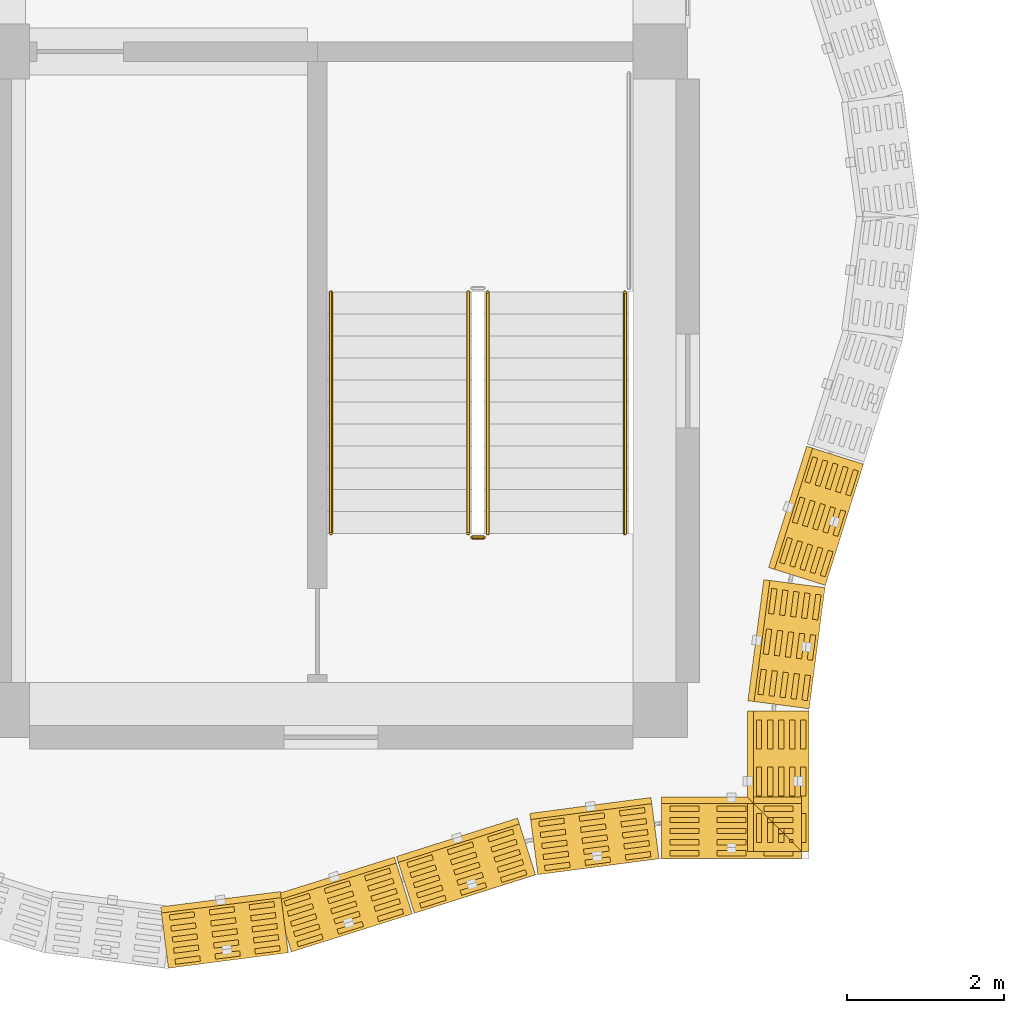
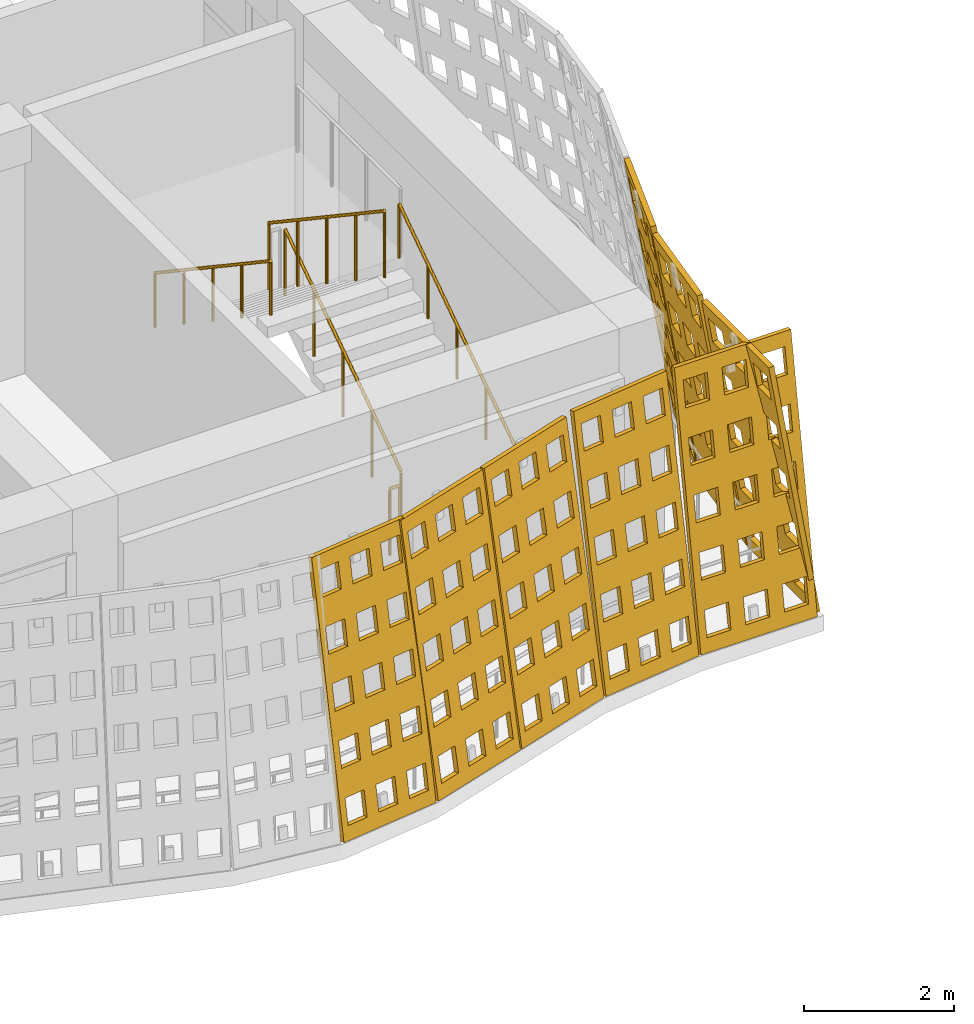
# One storey, part 119 of 162: 8 coverings, 5 railings.
"""IFC4 building model written with IfcOpenShell, lengths in metres."""

from ifc_helpers import new_model, si_unit, direction, frame, origin, origin_2d, place, context, subcontext, project, spatial, polyline, circle, outline, extrude, material, layer, layer_set, type_object, element, save


model = new_model("IFC4")

# Units and contexts
model_context = context("Model", 3, precision=1e-05, world=origin(), true_north=direction((0.0, 1.0)))
body_context = subcontext(model_context, "Body", "Model", "MODEL_VIEW")
ifc_project = project(units=[si_unit("LENGTHUNIT", "METRE"), si_unit("AREAUNIT", "SQUARE_METRE"), si_unit("VOLUMEUNIT", "CUBIC_METRE"), si_unit("PLANEANGLEUNIT", "RADIAN"), si_unit("MASSUNIT", "GRAM", prefix="KILO")], contexts=[model_context])

# Site, building, storey
site_placement = place(None, origin())
site = spatial("IfcSite", under=ifc_project, at=site_placement, CompositionType="ELEMENT")
building_placement = place(site_placement, origin())
building = spatial("IfcBuilding", under=site, at=building_placement, Name="Rain Tree Exposition and Congress Centre", CompositionType="ELEMENT")
storey_placement = place(building_placement, frame((0.0, 0.0, 6.0)))
storey = spatial("IfcBuildingStorey", under=building, at=storey_placement, Name="L01", CompositionType="ELEMENT", Elevation=6.0)

# Coverings
ifc_material_1 = material(Name="Perforated terracotta", Category="masonry")
ifc_layer = layer(ifc_material_1, 0.080078125)
ifc_layer_set = layer_set([ifc_layer], Name="Perforated terracotta")
covering_type = type_object("IfcCoveringType", Name="Terracotta screen 80", PredefinedType="CLADDING", material=ifc_layer_set)
covering_1_placement = place(storey_placement, frame((44.099609375, -3.298095703125, 0.01318359375), z_axis=(-0.125342414455, 0.978282259159, -0.165085131233), x_axis=(-0.991891686382, -0.127086122318, 0.0)))
element("IfcCovering", 1, at=covering_1_placement, inside=storey, type_object=covering_type, Name="wing/screen/L01/029", PredefinedType="CLADDING", context=body_context, shape_type="SweptSolid", body=[
    extrude(outline(polyline([(-1.56640625, 0.0), (-1.56640625, 4.295166015625), (-0.025390625, 4.295166015625), (-0.025390625, 0.0), (-1.56640625, 0.0)]), holes=[polyline([(-0.123046875, 0.2216796875), (-0.123046875, 0.63720703125), (-0.44140625, 0.63720703125), (-0.44140625, 0.2216796875), (-0.123046875, 0.2216796875)]), polyline([(-0.123046875, 1.080810546875), (-0.123046875, 1.496337890625), (-0.44140625, 1.496337890625), (-0.44140625, 1.080810546875), (-0.123046875, 1.080810546875)]), polyline([(-0.123046875, 1.939697265625), (-0.123046875, 2.35546875), (-0.44140625, 2.35546875), (-0.44140625, 1.939697265625), (-0.123046875, 1.939697265625)]), polyline([(-0.123046875, 2.798583984375), (-0.123046875, 3.21435546875), (-0.44140625, 3.21435546875), (-0.44140625, 2.798583984375), (-0.123046875, 2.798583984375)]), polyline([(-0.123046875, 3.65771484375), (-0.123046875, 4.073486328125), (-0.44140625, 4.073486328125), (-0.44140625, 3.65771484375), (-0.123046875, 3.65771484375)]), polyline([(-0.63671875, 0.2216796875), (-0.63671875, 0.63720703125), (-0.955078125, 0.63720703125), (-0.955078125, 0.2216796875), (-0.63671875, 0.2216796875)]), polyline([(-0.63671875, 1.080810546875), (-0.63671875, 1.496337890625), (-0.955078125, 1.496337890625), (-0.955078125, 1.080810546875), (-0.63671875, 1.080810546875)]), polyline([(-0.63671875, 1.939697265625), (-0.63671875, 2.35546875), (-0.955078125, 2.35546875), (-0.955078125, 1.939697265625), (-0.63671875, 1.939697265625)]), polyline([(-0.63671875, 2.798583984375), (-0.63671875, 3.21435546875), (-0.955078125, 3.21435546875), (-0.955078125, 2.798583984375), (-0.63671875, 2.798583984375)]), polyline([(-0.63671875, 3.65771484375), (-0.63671875, 4.073486328125), (-0.955078125, 4.073486328125), (-0.955078125, 3.65771484375), (-0.63671875, 3.65771484375)]), polyline([(-1.150146484375, 0.2216796875), (-1.150146484375, 0.63720703125), (-1.46875, 0.63720703125), (-1.46875, 0.2216796875), (-1.150146484375, 0.2216796875)]), polyline([(-1.150146484375, 1.080810546875), (-1.150146484375, 1.496337890625), (-1.46875, 1.496337890625), (-1.46875, 1.080810546875), (-1.150146484375, 1.080810546875)]), polyline([(-1.150146484375, 1.939697265625), (-1.150146484375, 2.35546875), (-1.46875, 2.35546875), (-1.46875, 1.939697265625), (-1.150146484375, 1.939697265625)]), polyline([(-1.150146484375, 2.798583984375), (-1.150146484375, 3.21435546875), (-1.46875, 3.21435546875), (-1.46875, 2.798583984375), (-1.150146484375, 2.798583984375)]), polyline([(-1.150146484375, 3.65771484375), (-1.150146484375, 4.073486328125), (-1.46875, 4.073486328125), (-1.46875, 3.65771484375), (-1.150146484375, 3.65771484375)])]), origin(), (0.0, 0.0, 1.0), 0.079833984375),
])
covering_2_placement = place(storey_placement, frame((45.67431640625, -3.093505859375, 0.0126953125), z_axis=(-0.295717964052, 0.942029390639, -0.158529217842), x_axis=(-0.954094597562, -0.29950542383, 0.0)))
element("IfcCovering", 2, at=covering_2_placement, inside=storey, type_object=covering_type, Name="wing/screen/L01/030", PredefinedType="CLADDING", context=body_context, shape_type="SweptSolid", body=[
    extrude(outline(polyline([(-1.635986328125, 0.0), (-1.635986328125, 4.291259765625), (-0.02197265625, 4.291259765625), (-0.02197265625, 0.0), (-1.635986328125, 0.0)]), holes=[polyline([(-0.124267578125, 0.221435546875), (-0.124267578125, 0.63671875), (-0.457763671875, 0.63671875), (-0.457763671875, 0.221435546875), (-0.124267578125, 0.221435546875)]), polyline([(-0.124267578125, 1.07958984375), (-0.124267578125, 1.4951171875), (-0.457763671875, 1.4951171875), (-0.457763671875, 1.07958984375), (-0.124267578125, 1.07958984375)]), polyline([(-0.124267578125, 1.93798828125), (-0.124267578125, 2.353271484375), (-0.457763671875, 2.353271484375), (-0.457763671875, 1.93798828125), (-0.124267578125, 1.93798828125)]), polyline([(-0.124267578125, 2.796142578125), (-0.124267578125, 3.21142578125), (-0.457763671875, 3.21142578125), (-0.457763671875, 2.796142578125), (-0.124267578125, 2.796142578125)]), polyline([(-0.124267578125, 3.654541015625), (-0.124267578125, 4.06982421875), (-0.457763671875, 4.06982421875), (-0.457763671875, 3.654541015625), (-0.124267578125, 3.654541015625)]), polyline([(-0.662109375, 0.221435546875), (-0.662109375, 0.63671875), (-0.995849609375, 0.63671875), (-0.995849609375, 0.221435546875), (-0.662109375, 0.221435546875)]), polyline([(-0.662109375, 1.07958984375), (-0.662109375, 1.4951171875), (-0.995849609375, 1.4951171875), (-0.995849609375, 1.07958984375), (-0.662109375, 1.07958984375)]), polyline([(-0.662109375, 1.93798828125), (-0.662109375, 2.353271484375), (-0.995849609375, 2.353271484375), (-0.995849609375, 1.93798828125), (-0.662109375, 1.93798828125)]), polyline([(-0.662109375, 2.796142578125), (-0.662109375, 3.21142578125), (-0.995849609375, 3.21142578125), (-0.995849609375, 2.796142578125), (-0.662109375, 2.796142578125)]), polyline([(-0.662109375, 3.654541015625), (-0.662109375, 4.06982421875), (-0.995849609375, 4.06982421875), (-0.995849609375, 3.654541015625), (-0.662109375, 3.654541015625)]), polyline([(-1.2001953125, 0.221435546875), (-1.2001953125, 0.63671875), (-1.53369140625, 0.63671875), (-1.53369140625, 0.221435546875), (-1.2001953125, 0.221435546875)]), polyline([(-1.2001953125, 1.07958984375), (-1.2001953125, 1.4951171875), (-1.53369140625, 1.4951171875), (-1.53369140625, 1.07958984375), (-1.2001953125, 1.07958984375)]), polyline([(-1.2001953125, 1.93798828125), (-1.2001953125, 2.353271484375), (-1.53369140625, 2.353271484375), (-1.53369140625, 1.93798828125), (-1.2001953125, 1.93798828125)]), polyline([(-1.2001953125, 2.796142578125), (-1.2001953125, 3.21142578125), (-1.53369140625, 3.21142578125), (-1.53369140625, 2.796142578125), (-1.2001953125, 2.796142578125)]), polyline([(-1.2001953125, 3.654541015625), (-1.2001953125, 4.06982421875), (-1.53369140625, 4.06982421875), (-1.53369140625, 3.654541015625), (-1.2001953125, 3.654541015625)])]), origin(), (0.0, 0.0, 1.0), 0.080078125),
])
covering_3_placement = place(storey_placement, frame((47.24951171875, -2.598388671875, 0.0126953125), z_axis=(-0.298496232686, 0.941176896939, -0.158385756119), x_axis=(-0.953208958144, -0.302312226207, 0.0)))
element("IfcCovering", 3, at=covering_3_placement, inside=storey, type_object=covering_type, Name="wing/screen/L01/031", PredefinedType="CLADDING", context=body_context, shape_type="SweptSolid", body=[
    extrude(outline(polyline([(-1.635986328125, 0.0), (-1.635986328125, 4.291259765625), (-0.014892578125, 4.291259765625), (-0.014892578125, 0.0), (-1.635986328125, 0.0)]), holes=[polyline([(-0.11767578125, 0.221435546875), (-0.11767578125, 0.63671875), (-0.45263671875, 0.63671875), (-0.45263671875, 0.221435546875), (-0.11767578125, 0.221435546875)]), polyline([(-0.11767578125, 1.07958984375), (-0.11767578125, 1.4951171875), (-0.45263671875, 1.4951171875), (-0.45263671875, 1.07958984375), (-0.11767578125, 1.07958984375)]), polyline([(-0.11767578125, 1.93798828125), (-0.11767578125, 2.353271484375), (-0.45263671875, 2.353271484375), (-0.45263671875, 1.93798828125), (-0.11767578125, 1.93798828125)]), polyline([(-0.11767578125, 2.796142578125), (-0.11767578125, 3.21142578125), (-0.45263671875, 3.21142578125), (-0.45263671875, 2.796142578125), (-0.11767578125, 2.796142578125)]), polyline([(-0.11767578125, 3.654541015625), (-0.11767578125, 4.06982421875), (-0.45263671875, 4.06982421875), (-0.45263671875, 3.654541015625), (-0.11767578125, 3.654541015625)]), polyline([(-0.657958984375, 0.221435546875), (-0.657958984375, 0.63671875), (-0.992919921875, 0.63671875), (-0.992919921875, 0.221435546875), (-0.657958984375, 0.221435546875)]), polyline([(-0.657958984375, 1.07958984375), (-0.657958984375, 1.4951171875), (-0.992919921875, 1.4951171875), (-0.992919921875, 1.07958984375), (-0.657958984375, 1.07958984375)]), polyline([(-0.657958984375, 1.93798828125), (-0.657958984375, 2.353271484375), (-0.992919921875, 2.353271484375), (-0.992919921875, 1.93798828125), (-0.657958984375, 1.93798828125)]), polyline([(-0.657958984375, 2.796142578125), (-0.657958984375, 3.21142578125), (-0.992919921875, 3.21142578125), (-0.992919921875, 2.796142578125), (-0.657958984375, 2.796142578125)]), polyline([(-0.657958984375, 3.654541015625), (-0.657958984375, 4.06982421875), (-0.992919921875, 4.06982421875), (-0.992919921875, 3.654541015625), (-0.657958984375, 3.654541015625)]), polyline([(-1.1982421875, 0.221435546875), (-1.1982421875, 0.63671875), (-1.533203125, 0.63671875), (-1.533203125, 0.221435546875), (-1.1982421875, 0.221435546875)]), polyline([(-1.1982421875, 1.07958984375), (-1.1982421875, 1.4951171875), (-1.533203125, 1.4951171875), (-1.533203125, 1.07958984375), (-1.1982421875, 1.07958984375)]), polyline([(-1.1982421875, 1.93798828125), (-1.1982421875, 2.353271484375), (-1.533203125, 2.353271484375), (-1.533203125, 1.93798828125), (-1.1982421875, 1.93798828125)]), polyline([(-1.1982421875, 2.796142578125), (-1.1982421875, 3.21142578125), (-1.533203125, 3.21142578125), (-1.533203125, 2.796142578125), (-1.1982421875, 2.796142578125)]), polyline([(-1.1982421875, 3.654541015625), (-1.1982421875, 4.06982421875), (-1.533203125, 4.06982421875), (-1.533203125, 3.654541015625), (-1.1982421875, 3.654541015625)])]), origin(), (0.0, 0.0, 1.0), 0.080078125),
])
covering_4_placement = place(storey_placement, frame((48.82470703125, -2.10302734375, 0.01318359375), z_axis=(-0.128349774249, 0.9779030419, -0.165021138321), x_axis=(-0.991496427865, -0.130133906157, 0.0)))
element("IfcCovering", 4, at=covering_4_placement, inside=storey, type_object=covering_type, Name="wing/screen/L01/032", PredefinedType="CLADDING", context=body_context, shape_type="SweptSolid", body=[
    extrude(outline(polyline([(-1.5732421875, 0.0), (-1.5732421875, 4.295166015625), (-0.014892578125, 4.295166015625), (-0.014892578125, 0.0), (-1.5732421875, 0.0)]), holes=[polyline([(-0.11376953125, 0.2216796875), (-0.11376953125, 0.63720703125), (-0.435791015625, 0.63720703125), (-0.435791015625, 0.2216796875), (-0.11376953125, 0.2216796875)]), polyline([(-0.11376953125, 1.080810546875), (-0.11376953125, 1.496337890625), (-0.435791015625, 1.496337890625), (-0.435791015625, 1.080810546875), (-0.11376953125, 1.080810546875)]), polyline([(-0.11376953125, 1.939697265625), (-0.11376953125, 2.35546875), (-0.435791015625, 2.35546875), (-0.435791015625, 1.939697265625), (-0.11376953125, 1.939697265625)]), polyline([(-0.11376953125, 2.798583984375), (-0.11376953125, 3.21435546875), (-0.435791015625, 3.21435546875), (-0.435791015625, 2.798583984375), (-0.11376953125, 2.798583984375)]), polyline([(-0.11376953125, 3.65771484375), (-0.11376953125, 4.073486328125), (-0.435791015625, 4.073486328125), (-0.435791015625, 3.65771484375), (-0.11376953125, 3.65771484375)]), polyline([(-0.633056640625, 0.2216796875), (-0.633056640625, 0.63720703125), (-0.955078125, 0.63720703125), (-0.955078125, 0.2216796875), (-0.633056640625, 0.2216796875)]), polyline([(-0.633056640625, 1.080810546875), (-0.633056640625, 1.496337890625), (-0.955078125, 1.496337890625), (-0.955078125, 1.080810546875), (-0.633056640625, 1.080810546875)]), polyline([(-0.633056640625, 1.939697265625), (-0.633056640625, 2.35546875), (-0.955078125, 2.35546875), (-0.955078125, 1.939697265625), (-0.633056640625, 1.939697265625)]), polyline([(-0.633056640625, 2.798583984375), (-0.633056640625, 3.21435546875), (-0.955078125, 3.21435546875), (-0.955078125, 2.798583984375), (-0.633056640625, 2.798583984375)]), polyline([(-0.633056640625, 3.65771484375), (-0.633056640625, 4.073486328125), (-0.955078125, 4.073486328125), (-0.955078125, 3.65771484375), (-0.633056640625, 3.65771484375)]), polyline([(-1.152587890625, 0.2216796875), (-1.152587890625, 0.63720703125), (-1.474609375, 0.63720703125), (-1.474609375, 0.2216796875), (-1.152587890625, 0.2216796875)]), polyline([(-1.152587890625, 1.080810546875), (-1.152587890625, 1.496337890625), (-1.474609375, 1.496337890625), (-1.474609375, 1.080810546875), (-1.152587890625, 1.080810546875)]), polyline([(-1.152587890625, 1.939697265625), (-1.152587890625, 2.35546875), (-1.474609375, 2.35546875), (-1.474609375, 1.939697265625), (-1.152587890625, 1.939697265625)]), polyline([(-1.152587890625, 2.798583984375), (-1.152587890625, 3.21435546875), (-1.474609375, 3.21435546875), (-1.474609375, 2.798583984375), (-1.152587890625, 2.798583984375)]), polyline([(-1.152587890625, 3.65771484375), (-1.152587890625, 4.073486328125), (-1.474609375, 4.073486328125), (-1.474609375, 3.65771484375), (-1.152587890625, 3.65771484375)])]), origin(), (0.0, 0.0, 1.0), 0.079833984375),
])
covering_5_placement = place(storey_placement, frame((50.39990234375, -1.898193359375, 0.01318359375), z_axis=(0.0, 0.986393923832, -0.164398987305), x_axis=(-1.0, 0.0, 0.0)))
element("IfcCovering", 5, at=covering_5_placement, inside=storey, type_object=covering_type, Name="wing/screen/L01/033", PredefinedType="CLADDING", context=body_context, shape_type="SweptSolid", body=[
    extrude(outline(polyline([(-1.805419921875, 0.0), (-1.805419921875, 4.2958984375), (-0.014892578125, 4.2958984375), (-0.014892578125, 0.0), (-1.805419921875, 0.0)]), holes=[polyline([(-0.12841796875, 0.2216796875), (-0.12841796875, 0.637451171875), (-0.498291015625, 0.637451171875), (-0.498291015625, 0.2216796875), (-0.12841796875, 0.2216796875)]), polyline([(-0.12841796875, 1.080810546875), (-0.12841796875, 1.49658203125), (-0.498291015625, 1.49658203125), (-0.498291015625, 1.080810546875), (-0.12841796875, 1.080810546875)]), polyline([(-0.12841796875, 1.940185546875), (-0.12841796875, 2.355712890625), (-0.498291015625, 2.355712890625), (-0.498291015625, 1.940185546875), (-0.12841796875, 1.940185546875)]), polyline([(-0.12841796875, 2.79931640625), (-0.12841796875, 3.215087890625), (-0.498291015625, 3.215087890625), (-0.498291015625, 2.79931640625), (-0.12841796875, 2.79931640625)]), polyline([(-0.12841796875, 3.658447265625), (-0.12841796875, 4.07421875), (-0.498291015625, 4.07421875), (-0.498291015625, 3.658447265625), (-0.12841796875, 3.658447265625)]), polyline([(-0.72509765625, 0.2216796875), (-0.72509765625, 0.637451171875), (-1.09521484375, 0.637451171875), (-1.09521484375, 0.2216796875), (-0.72509765625, 0.2216796875)]), polyline([(-0.72509765625, 1.080810546875), (-0.72509765625, 1.49658203125), (-1.09521484375, 1.49658203125), (-1.09521484375, 1.080810546875), (-0.72509765625, 1.080810546875)]), polyline([(-0.72509765625, 1.940185546875), (-0.72509765625, 2.355712890625), (-1.09521484375, 2.355712890625), (-1.09521484375, 1.940185546875), (-0.72509765625, 1.940185546875)]), polyline([(-0.72509765625, 2.79931640625), (-0.72509765625, 3.215087890625), (-1.09521484375, 3.215087890625), (-1.09521484375, 2.79931640625), (-0.72509765625, 2.79931640625)]), polyline([(-0.72509765625, 3.658447265625), (-0.72509765625, 4.07421875), (-1.09521484375, 4.07421875), (-1.09521484375, 3.658447265625), (-0.72509765625, 3.658447265625)]), polyline([(-1.322021484375, 0.2216796875), (-1.322021484375, 0.637451171875), (-1.69189453125, 0.637451171875), (-1.69189453125, 0.2216796875), (-1.322021484375, 0.2216796875)]), polyline([(-1.322021484375, 1.080810546875), (-1.322021484375, 1.49658203125), (-1.69189453125, 1.49658203125), (-1.69189453125, 1.080810546875), (-1.322021484375, 1.080810546875)]), polyline([(-1.322021484375, 1.940185546875), (-1.322021484375, 2.355712890625), (-1.69189453125, 2.355712890625), (-1.69189453125, 1.940185546875), (-1.322021484375, 1.940185546875)]), polyline([(-1.322021484375, 2.79931640625), (-1.322021484375, 3.215087890625), (-1.69189453125, 3.215087890625), (-1.69189453125, 2.79931640625), (-1.322021484375, 2.79931640625)]), polyline([(-1.322021484375, 3.658447265625), (-1.322021484375, 4.07421875), (-1.69189453125, 4.07421875), (-1.69189453125, 3.658447265625), (-1.322021484375, 3.658447265625)])]), origin(), (0.0, 0.0, 1.0), 0.080078125),
])
covering_6_placement = place(storey_placement, frame((52.298095703125, -1.900390625, 0.01318359375), z_axis=(-0.986311269939, 0.0, -0.1648941442), x_axis=(0.0, -1.0, 0.0)))
element("IfcCovering", 6, at=covering_6_placement, inside=storey, type_object=covering_type, Name="wing/screen/L01/034", PredefinedType="CLADDING", context=body_context, shape_type="SweptSolid", body=[
    extrude(outline(polyline([(-1.88525390625, 0.0), (-1.88525390625, 4.2958984375), (-0.094970703125, 4.2958984375), (-0.094970703125, 0.0), (-1.88525390625, 0.0)]), holes=[polyline([(-0.20849609375, 0.2216796875), (-0.20849609375, 0.637451171875), (-0.578369140625, 0.637451171875), (-0.578369140625, 0.2216796875), (-0.20849609375, 0.2216796875)]), polyline([(-0.20849609375, 1.080810546875), (-0.20849609375, 1.49658203125), (-0.578369140625, 1.49658203125), (-0.578369140625, 1.080810546875), (-0.20849609375, 1.080810546875)]), polyline([(-0.20849609375, 1.940185546875), (-0.20849609375, 2.355712890625), (-0.578369140625, 2.355712890625), (-0.578369140625, 1.940185546875), (-0.20849609375, 1.940185546875)]), polyline([(-0.20849609375, 2.79931640625), (-0.20849609375, 3.215087890625), (-0.578369140625, 3.215087890625), (-0.578369140625, 2.79931640625), (-0.20849609375, 2.79931640625)]), polyline([(-0.20849609375, 3.658447265625), (-0.20849609375, 4.07421875), (-0.578369140625, 4.07421875), (-0.578369140625, 3.658447265625), (-0.20849609375, 3.658447265625)]), polyline([(-0.80517578125, 0.2216796875), (-0.80517578125, 0.637451171875), (-1.175048828125, 0.637451171875), (-1.175048828125, 0.2216796875), (-0.80517578125, 0.2216796875)]), polyline([(-0.80517578125, 1.080810546875), (-0.80517578125, 1.49658203125), (-1.175048828125, 1.49658203125), (-1.175048828125, 1.080810546875), (-0.80517578125, 1.080810546875)]), polyline([(-0.80517578125, 1.940185546875), (-0.80517578125, 2.355712890625), (-1.175048828125, 2.355712890625), (-1.175048828125, 1.940185546875), (-0.80517578125, 1.940185546875)]), polyline([(-0.80517578125, 2.79931640625), (-0.80517578125, 3.215087890625), (-1.175048828125, 3.215087890625), (-1.175048828125, 2.79931640625), (-0.80517578125, 2.79931640625)]), polyline([(-0.80517578125, 3.658447265625), (-0.80517578125, 4.07421875), (-1.175048828125, 4.07421875), (-1.175048828125, 3.658447265625), (-0.80517578125, 3.658447265625)]), polyline([(-1.40185546875, 0.2216796875), (-1.40185546875, 0.637451171875), (-1.77197265625, 0.637451171875), (-1.77197265625, 0.2216796875), (-1.40185546875, 0.2216796875)]), polyline([(-1.40185546875, 1.080810546875), (-1.40185546875, 1.49658203125), (-1.77197265625, 1.49658203125), (-1.77197265625, 1.080810546875), (-1.40185546875, 1.080810546875)]), polyline([(-1.40185546875, 1.940185546875), (-1.40185546875, 2.355712890625), (-1.77197265625, 2.355712890625), (-1.77197265625, 1.940185546875), (-1.40185546875, 1.940185546875)]), polyline([(-1.40185546875, 2.79931640625), (-1.40185546875, 3.215087890625), (-1.77197265625, 3.215087890625), (-1.77197265625, 2.79931640625), (-1.40185546875, 2.79931640625)]), polyline([(-1.40185546875, 3.658447265625), (-1.40185546875, 4.07421875), (-1.77197265625, 4.07421875), (-1.77197265625, 3.658447265625), (-1.40185546875, 3.658447265625)])]), origin(), (0.0, 0.0, 1.0), 0.079833984375),
])
covering_7_placement = place(storey_placement, frame((52.298095703125, 0.000244140625, 0.01318359375), z_axis=(-0.9779030419, 0.128349774249, -0.165021138321), x_axis=(-0.130133906157, -0.991496427865, 0.0)))
element("IfcCovering", 7, at=covering_7_placement, inside=storey, type_object=covering_type, Name="wing/screen/L01/035", PredefinedType="CLADDING", context=body_context, shape_type="SweptSolid", body=[
    extrude(outline(polyline([(-1.5732421875, 0.0), (-1.5732421875, 4.295166015625), (-0.014892578125, 4.295166015625), (-0.014892578125, 0.0), (-1.5732421875, 0.0)]), holes=[polyline([(-0.11376953125, 0.2216796875), (-0.11376953125, 0.63720703125), (-0.435791015625, 0.63720703125), (-0.435791015625, 0.2216796875), (-0.11376953125, 0.2216796875)]), polyline([(-0.11376953125, 1.080810546875), (-0.11376953125, 1.496337890625), (-0.435791015625, 1.496337890625), (-0.435791015625, 1.080810546875), (-0.11376953125, 1.080810546875)]), polyline([(-0.11376953125, 1.939697265625), (-0.11376953125, 2.35546875), (-0.435791015625, 2.35546875), (-0.435791015625, 1.939697265625), (-0.11376953125, 1.939697265625)]), polyline([(-0.11376953125, 2.798583984375), (-0.11376953125, 3.21435546875), (-0.435791015625, 3.21435546875), (-0.435791015625, 2.798583984375), (-0.11376953125, 2.798583984375)]), polyline([(-0.11376953125, 3.65771484375), (-0.11376953125, 4.073486328125), (-0.435791015625, 4.073486328125), (-0.435791015625, 3.65771484375), (-0.11376953125, 3.65771484375)]), polyline([(-0.633056640625, 0.2216796875), (-0.633056640625, 0.63720703125), (-0.955078125, 0.63720703125), (-0.955078125, 0.2216796875), (-0.633056640625, 0.2216796875)]), polyline([(-0.633056640625, 1.080810546875), (-0.633056640625, 1.496337890625), (-0.955078125, 1.496337890625), (-0.955078125, 1.080810546875), (-0.633056640625, 1.080810546875)]), polyline([(-0.633056640625, 1.939697265625), (-0.633056640625, 2.35546875), (-0.955078125, 2.35546875), (-0.955078125, 1.939697265625), (-0.633056640625, 1.939697265625)]), polyline([(-0.633056640625, 2.798583984375), (-0.633056640625, 3.21435546875), (-0.955078125, 3.21435546875), (-0.955078125, 2.798583984375), (-0.633056640625, 2.798583984375)]), polyline([(-0.633056640625, 3.65771484375), (-0.633056640625, 4.073486328125), (-0.955078125, 4.073486328125), (-0.955078125, 3.65771484375), (-0.633056640625, 3.65771484375)]), polyline([(-1.152587890625, 0.2216796875), (-1.152587890625, 0.63720703125), (-1.474609375, 0.63720703125), (-1.474609375, 0.2216796875), (-1.152587890625, 0.2216796875)]), polyline([(-1.152587890625, 1.080810546875), (-1.152587890625, 1.496337890625), (-1.474609375, 1.496337890625), (-1.474609375, 1.080810546875), (-1.152587890625, 1.080810546875)]), polyline([(-1.152587890625, 1.939697265625), (-1.152587890625, 2.35546875), (-1.474609375, 2.35546875), (-1.474609375, 1.939697265625), (-1.152587890625, 1.939697265625)]), polyline([(-1.152587890625, 2.798583984375), (-1.152587890625, 3.21435546875), (-1.474609375, 3.21435546875), (-1.474609375, 2.798583984375), (-1.152587890625, 2.798583984375)]), polyline([(-1.152587890625, 3.65771484375), (-1.152587890625, 4.073486328125), (-1.474609375, 4.073486328125), (-1.474609375, 3.65771484375), (-1.152587890625, 3.65771484375)])]), origin(), (0.0, 0.0, 1.0), 0.079833984375),
])
covering_8_placement = place(storey_placement, frame((52.50341796875, 1.57568359375, 0.0126953125), z_axis=(-0.942029390639, 0.295717964052, -0.158529217842), x_axis=(-0.29950542383, -0.954094597562, 0.0)))
element("IfcCovering", 8, at=covering_8_placement, inside=storey, type_object=covering_type, Name="wing/screen/L01/036", PredefinedType="CLADDING", context=body_context, shape_type="SweptSolid", body=[
    extrude(outline(polyline([(-1.635986328125, 0.0), (-1.635986328125, 4.291259765625), (-0.014892578125, 4.291259765625), (-0.014892578125, 0.0), (-1.635986328125, 0.0)]), holes=[polyline([(-0.11767578125, 0.221435546875), (-0.11767578125, 0.63671875), (-0.45263671875, 0.63671875), (-0.45263671875, 0.221435546875), (-0.11767578125, 0.221435546875)]), polyline([(-0.11767578125, 1.07958984375), (-0.11767578125, 1.4951171875), (-0.45263671875, 1.4951171875), (-0.45263671875, 1.07958984375), (-0.11767578125, 1.07958984375)]), polyline([(-0.11767578125, 1.93798828125), (-0.11767578125, 2.353271484375), (-0.45263671875, 2.353271484375), (-0.45263671875, 1.93798828125), (-0.11767578125, 1.93798828125)]), polyline([(-0.11767578125, 2.796142578125), (-0.11767578125, 3.21142578125), (-0.45263671875, 3.21142578125), (-0.45263671875, 2.796142578125), (-0.11767578125, 2.796142578125)]), polyline([(-0.11767578125, 3.654541015625), (-0.11767578125, 4.06982421875), (-0.45263671875, 4.06982421875), (-0.45263671875, 3.654541015625), (-0.11767578125, 3.654541015625)]), polyline([(-0.657958984375, 0.221435546875), (-0.657958984375, 0.63671875), (-0.992919921875, 0.63671875), (-0.992919921875, 0.221435546875), (-0.657958984375, 0.221435546875)]), polyline([(-0.657958984375, 1.07958984375), (-0.657958984375, 1.4951171875), (-0.992919921875, 1.4951171875), (-0.992919921875, 1.07958984375), (-0.657958984375, 1.07958984375)]), polyline([(-0.657958984375, 1.93798828125), (-0.657958984375, 2.353271484375), (-0.992919921875, 2.353271484375), (-0.992919921875, 1.93798828125), (-0.657958984375, 1.93798828125)]), polyline([(-0.657958984375, 2.796142578125), (-0.657958984375, 3.21142578125), (-0.992919921875, 3.21142578125), (-0.992919921875, 2.796142578125), (-0.657958984375, 2.796142578125)]), polyline([(-0.657958984375, 3.654541015625), (-0.657958984375, 4.06982421875), (-0.992919921875, 4.06982421875), (-0.992919921875, 3.654541015625), (-0.657958984375, 3.654541015625)]), polyline([(-1.1982421875, 0.221435546875), (-1.1982421875, 0.63671875), (-1.533203125, 0.63671875), (-1.533203125, 0.221435546875), (-1.1982421875, 0.221435546875)]), polyline([(-1.1982421875, 1.07958984375), (-1.1982421875, 1.4951171875), (-1.533203125, 1.4951171875), (-1.533203125, 1.07958984375), (-1.1982421875, 1.07958984375)]), polyline([(-1.1982421875, 1.93798828125), (-1.1982421875, 2.353271484375), (-1.533203125, 2.353271484375), (-1.533203125, 1.93798828125), (-1.1982421875, 1.93798828125)]), polyline([(-1.1982421875, 2.796142578125), (-1.1982421875, 3.21142578125), (-1.533203125, 3.21142578125), (-1.533203125, 2.796142578125), (-1.1982421875, 2.796142578125)]), polyline([(-1.1982421875, 3.654541015625), (-1.1982421875, 4.06982421875), (-1.533203125, 4.06982421875), (-1.533203125, 3.654541015625), (-1.1982421875, 3.654541015625)])]), origin(), (0.0, 0.0, 1.0), 0.080078125),
])

# Railings
ifc_material_2 = material(Name="Steel S355J2H", Category="steel")
railing_type_1 = type_object("IfcRailingType", Name="Wing stair guard 1100", PredefinedType="GUARDRAIL", material=ifc_material_2)
railing_1_placement = place(storey_placement, frame((48.199951171875, 2.25, 0.1875)))
element("IfcRailing", 9, at=railing_1_placement, inside=storey, type_object=railing_type_1, Name="L01 ST-W2 stair guard 1", PredefinedType="GUARDRAIL", context=body_context, shape_type="SweptSolid", body=[
    extrude(circle(Radius=0.02392578125, at=origin_2d()), frame((0.0, 0.0, 1.076171875), z_axis=(0.0, 0.830913701846, 0.55640131208), x_axis=(-1.0, 0.0, 0.0)), (0.0, 0.0, 1.0), 3.706787109375),
    extrude(circle(Radius=0.02099609375, at=origin_2d()), origin(), (0.0, 0.0, 1.0), 1.052001953125),
    extrude(circle(Radius=0.02099609375, at=origin_2d()), frame((0.0, 0.77001953125, 0.515625)), (0.0, 0.0, 1.0), 1.052001953125),
    extrude(circle(Radius=0.02099609375, at=origin_2d()), frame((0.0, 1.5400390625, 1.03125)), (0.0, 0.0, 1.0), 1.052001953125),
    extrude(circle(Radius=0.02099609375, at=origin_2d()), frame((0.0, 2.31005859375, 1.546875)), (0.0, 0.0, 1.0), 1.052001953125),
    extrude(circle(Radius=0.02099609375, at=origin_2d()), frame((0.0, 3.080078125, 2.0625)), (0.0, 0.0, 1.0), 1.052001953125),
])
railing_2_placement = place(storey_placement, frame((47.949951171875, 5.330078125, 2.4375)))
element("IfcRailing", 10, at=railing_2_placement, inside=storey, type_object=railing_type_1, Name="L01 ST-W2 stair guard 3", PredefinedType="GUARDRAIL", context=body_context, shape_type="SweptSolid", body=[
    extrude(circle(Radius=0.02392578125, at=origin_2d()), frame((0.0, 0.0, 1.076171875), z_axis=(0.0, -0.830913701846, 0.55640131208), x_axis=(1.0, 0.0, 0.0)), (0.0, 0.0, 1.0), 3.706787109375),
    extrude(circle(Radius=0.02099609375, at=origin_2d()), origin(), (0.0, 0.0, 1.0), 1.052001953125),
    extrude(circle(Radius=0.02099609375, at=origin_2d()), frame((0.0, -0.77001953125, 0.515625)), (0.0, 0.0, 1.0), 1.052001953125),
    extrude(circle(Radius=0.02099609375, at=origin_2d()), frame((0.0, -1.5400390625, 1.03125)), (0.0, 0.0, 1.0), 1.052001953125),
    extrude(circle(Radius=0.02099609375, at=origin_2d()), frame((0.0, -2.31005859375, 1.546875)), (0.0, 0.0, 1.0), 1.052001953125),
    extrude(circle(Radius=0.02099609375, at=origin_2d()), frame((0.0, -3.080078125, 2.0625)), (0.0, 0.0, 1.0), 1.052001953125),
])
railing_3_placement = place(storey_placement, frame((48.14990234375, 2.199951171875, 0.0)))
element("IfcRailing", 11, at=railing_3_placement, inside=storey, type_object=railing_type_1, Name="L01 ST-W2 stair guard 4", PredefinedType="GUARDRAIL", context=body_context, shape_type="SweptSolid", body=[
    extrude(circle(Radius=0.02392578125, at=origin_2d()), frame((0.0, 0.0, 1.076171875), z_axis=(-1.0, 0.0, 0.0), x_axis=(0.0, -1.0, 0.0)), (0.0, 0.0, 1.0), 0.14990234375),
    extrude(circle(Radius=0.02099609375, at=origin_2d()), origin(), (0.0, 0.0, 1.0), 1.052001953125),
    extrude(circle(Radius=0.02099609375, at=origin_2d()), frame((-0.14990234375, 0.0, 0.0)), (0.0, 0.0, 1.0), 1.052001953125),
])
ifc_material_3 = material(Name="Steel S355J2H", Category="steel")
railing_type_2 = type_object("IfcRailingType", Name="Wing stair handrail 900", PredefinedType="HANDRAIL", material=ifc_material_3)
railing_4_placement = place(storey_placement, frame((49.949951171875, 2.25, 0.1875)))
element("IfcRailing", 12, at=railing_4_placement, inside=storey, type_object=railing_type_2, Name="L01 ST-W2 stair handrail 1", PredefinedType="HANDRAIL", context=body_context, shape_type="SweptSolid", body=[
    extrude(circle(Radius=0.02392578125, at=origin_2d()), frame((0.0, 0.0, 0.8759765625), z_axis=(0.0, 0.830913701846, 0.55640131208), x_axis=(-1.0, 0.0, 0.0)), (0.0, 0.0, 1.0), 3.706787109375),
    extrude(circle(Radius=0.02099609375, at=origin_2d()), origin(), (0.0, 0.0, 1.0), 0.851806640625),
    extrude(circle(Radius=0.02099609375, at=origin_2d()), frame((0.0, 0.77001953125, 0.515625)), (0.0, 0.0, 1.0), 0.851806640625),
    extrude(circle(Radius=0.02099609375, at=origin_2d()), frame((0.0, 1.5400390625, 1.03125)), (0.0, 0.0, 1.0), 0.851806640625),
    extrude(circle(Radius=0.02099609375, at=origin_2d()), frame((0.0, 2.31005859375, 1.546875)), (0.0, 0.0, 1.0), 0.851806640625),
    extrude(circle(Radius=0.02099609375, at=origin_2d()), frame((0.0, 3.080078125, 2.0625)), (0.0, 0.0, 1.0), 0.851806640625),
])
railing_5_placement = place(storey_placement, frame((46.199951171875, 5.330078125, 2.4375)))
element("IfcRailing", 13, at=railing_5_placement, inside=storey, type_object=railing_type_2, Name="L01 ST-W2 stair handrail 2", PredefinedType="HANDRAIL", context=body_context, shape_type="SweptSolid", body=[
    extrude(circle(Radius=0.02392578125, at=origin_2d()), frame((0.0, 0.0, 0.8759765625), z_axis=(0.0, -0.830913701846, 0.55640131208), x_axis=(1.0, 0.0, 0.0)), (0.0, 0.0, 1.0), 3.706787109375),
    extrude(circle(Radius=0.02099609375, at=origin_2d()), origin(), (0.0, 0.0, 1.0), 0.851806640625),
    extrude(circle(Radius=0.02099609375, at=origin_2d()), frame((0.0, -0.77001953125, 0.515625)), (0.0, 0.0, 1.0), 0.851806640625),
    extrude(circle(Radius=0.02099609375, at=origin_2d()), frame((0.0, -1.5400390625, 1.03125)), (0.0, 0.0, 1.0), 0.851806640625),
    extrude(circle(Radius=0.02099609375, at=origin_2d()), frame((0.0, -2.31005859375, 1.546875)), (0.0, 0.0, 1.0), 0.851806640625),
    extrude(circle(Radius=0.02099609375, at=origin_2d()), frame((0.0, -3.080078125, 2.0625)), (0.0, 0.0, 1.0), 0.851806640625),
])

save(model, "model.ifc")
